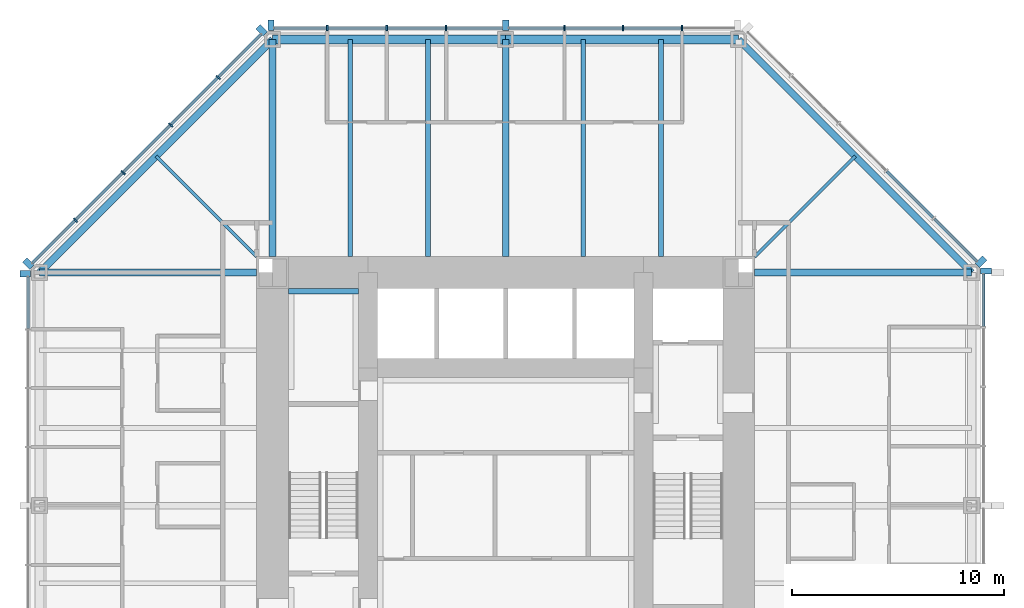
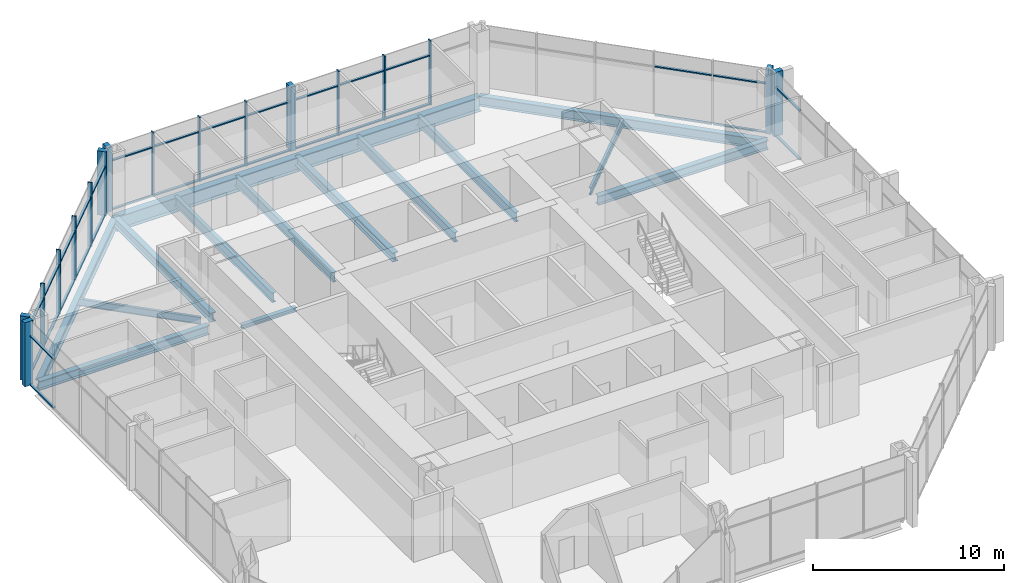
# One storey, part 5 of 12: 49 members, 15 beams, 5 elements without a shape of their own.
"""IFC4 building model written with IfcOpenShell, lengths in metres."""

from ifc_helpers import new_model, si_unit, direction, frame, origin, origin_2d, place, context, subcontext, project, spatial, rectangle, i_section, extrude, material, material_profile, profile_set, type_object, element, aggregate, save


model = new_model("IFC4")

# Units and contexts
model_context = context("Model", 3, precision=1e-05, world=origin(), true_north=direction((0.0, 1.0)))
body_context = subcontext(model_context, "Body", "Model", "MODEL_VIEW")
ifc_project = project(units=[si_unit("LENGTHUNIT", "METRE"), si_unit("AREAUNIT", "SQUARE_METRE"), si_unit("VOLUMEUNIT", "CUBIC_METRE"), si_unit("PLANEANGLEUNIT", "RADIAN"), si_unit("MASSUNIT", "GRAM", prefix="KILO")], contexts=[model_context])

# Site, building, storey
site_placement = place(None, origin())
site = spatial("IfcSite", under=ifc_project, at=site_placement, CompositionType="ELEMENT")
building_placement = place(site_placement, origin())
building = spatial("IfcBuilding", under=site, at=building_placement, Name="Trevanion Tower", CompositionType="ELEMENT")
storey_placement = place(building_placement, frame((0.0, 0.0, 117.199951171875)))
storey = spatial("IfcBuildingStorey", under=building, at=storey_placement, Name="L27", CompositionType="ELEMENT", Elevation=117.199951171875)

# Beams
ifc_material_1 = material(Name="Steel ASTM A992 Grade 50", Category="steel")
ifc_material_profile_1 = material_profile(ifc_material_1, i_section(OverallWidth=0.22900390625, OverallDepth=0.612060546875, WebThickness=0.011962890625, FlangeThickness=0.01953125, at=origin_2d()), Name="W24X84")
ifc_profile_set_1 = profile_set([ifc_material_profile_1], Name="Steel ASTM A992 Grade 50")
beam_type_1 = type_object("IfcBeamType", Name="B7 W24X84", PredefinedType="BEAM", material=ifc_profile_set_1)
for number, where, z_axis, x_axis, name in (
    (1, (7.333251953125, 11.75, -0.49609375), (0.0, 1.0, 0.0), (-1.0, 0.0, 0.0), "B7 L27"),
    (2, (3.666748046875, 11.75, -0.49609375), (0.0, 1.0, 0.0), (-1.0, 0.0, 0.0), "B7 L27"),
    (3, (-3.666748046875, 11.75, -0.49609375), (0.0, 1.0, 0.0), (-1.0, 0.0, 0.0), "B7 L27"),
    (4, (-7.333251953125, 11.75, -0.49609375), (0.0, 1.0, 0.0), (-1.0, 0.0, 0.0), "B7 L27"),
):
    element("IfcBeam", number, at=place(storey_placement, frame(where, z_axis=z_axis, x_axis=x_axis)), inside=storey, type_object=beam_type_1, Name=name, PredefinedType="BEAM", context=body_context, shape_type="SweptSolid", body=[
        extrude(i_section(OverallWidth=0.22900390625, OverallDepth=0.612060546875, WebThickness=0.011962890625, FlangeThickness=0.01953125, at=origin_2d()), origin(), (0.0, 0.0, 1.0), 10.25),
    ])
ifc_material_2 = material(Name="Steel ASTM A992 Grade 50", Category="steel")
ifc_material_profile_2 = material_profile(ifc_material_2, i_section(OverallWidth=0.15234375, OverallDepth=0.449462890625, WebThickness=0.007568359375, FlangeThickness=0.0107421875, at=origin_2d()), Name="W18X35")
ifc_profile_set_2 = profile_set([ifc_material_profile_2], Name="Steel ASTM A992 Grade 50")
beam_type_2 = type_object("IfcBeamType", Name="B8 W18X35", PredefinedType="BEAM", material=ifc_profile_set_2)
for number, where, z_axis, x_axis, name in (
    (5, (11.75, 11.75, -0.414794921875), (0.707106781187, 0.707106781187, 0.0), (-0.707106781187, 0.707106781187, 0.0), "B8 L27"),
    (6, (-11.75, 11.75, -0.414794921875), (-0.707106781187, 0.707106781187, 0.0), (-0.707106781187, -0.707106781187, 0.0), "B8 L27"),
):
    element("IfcBeam", number, at=place(storey_placement, frame(where, z_axis=z_axis, x_axis=x_axis)), inside=storey, type_object=beam_type_2, Name=name, PredefinedType="BEAM", context=body_context, shape_type="SweptSolid", body=[
        extrude(i_section(OverallWidth=0.15234375, OverallDepth=0.449462890625, WebThickness=0.007568359375, FlangeThickness=0.0107421875, at=origin_2d()), origin(), (0.0, 0.0, 1.0), 6.717529296875),
    ])

# Curtain wall, members
ifc_material_3 = material(Name="Aluminium and glass", Category="aluminium")
curtain_wall_type = type_object("IfcCurtainWallType", Name="CW2 curtain wall", PredefinedType="USERDEFINED", material=ifc_material_3)
curtain_wall_1_placement = place(storey_placement, origin())
curtain_wall_1 = element("IfcCurtainWall", 7, at=curtain_wall_1_placement, inside=storey, type_object=curtain_wall_type, Name="CW2 L27 2", ObjectType="UNITISED CURTAIN WALL", PredefinedType="USERDEFINED")
ifc_material_4 = material(Name="Aluminium extrusion, anodised bronze", Category="aluminium")
ifc_material_profile_3 = material_profile(ifc_material_4, rectangle(XDim=0.074951171875, YDim=0.25, at=origin_2d()), Name="CW2 mullion")
ifc_profile_set_3 = profile_set([ifc_material_profile_3], Name="Aluminium extrusion, anodised bronze")
member_type_1 = type_object("IfcMemberType", Name="CW2 mullion", PredefinedType="MULLION", material=ifc_profile_set_3)
member_1_placement = place(storey_placement, frame((8.323486328125, 22.550048828125, -0.18994140625), z_axis=(0.0, 0.0, 1.0), x_axis=(-1.0, 0.0, 0.0)))
member_1 = element("IfcMember", 8, at=member_1_placement, type_object=member_type_1, Name="CW2 mullion 2", PredefinedType="MULLION", context=body_context, shape_type="SweptSolid", body=[
    extrude(rectangle(XDim=0.074951171875, YDim=0.25, at=origin_2d()), origin(), (0.0, 0.0, 1.0), 4.10009765625),
])
member_2_placement = place(storey_placement, frame((5.548828125, 22.550048828125, -0.18994140625), z_axis=(0.0, 0.0, 1.0), x_axis=(-1.0, 0.0, 0.0)))
member_2 = element("IfcMember", 9, at=member_2_placement, type_object=member_type_1, Name="CW2 mullion 3", PredefinedType="MULLION", context=body_context, shape_type="SweptSolid", body=[
    extrude(rectangle(XDim=0.074951171875, YDim=0.25, at=origin_2d()), origin(), (0.0, 0.0, 1.0), 4.10009765625),
])
member_3_placement = place(storey_placement, frame((2.7744140625, 22.550048828125, -0.18994140625), z_axis=(0.0, 0.0, 1.0), x_axis=(-1.0, 0.0, 0.0)))
member_3 = element("IfcMember", 10, at=member_3_placement, type_object=member_type_1, Name="CW2 mullion 4", PredefinedType="MULLION", context=body_context, shape_type="SweptSolid", body=[
    extrude(rectangle(XDim=0.074951171875, YDim=0.25, at=origin_2d()), origin(), (0.0, 0.0, 1.0), 4.10009765625),
])
member_4_placement = place(storey_placement, frame((-2.806884765625, 22.550048828125, -0.18994140625), z_axis=(0.0, 0.0, 1.0), x_axis=(-1.0, 0.0, 0.0)))
member_4 = element("IfcMember", 11, at=member_4_placement, type_object=member_type_1, Name="CW2 mullion 6", PredefinedType="MULLION", context=body_context, shape_type="SweptSolid", body=[
    extrude(rectangle(XDim=0.074951171875, YDim=0.25, at=origin_2d()), origin(), (0.0, 0.0, 1.0), 4.10009765625),
])
member_5_placement = place(storey_placement, frame((-5.614013671875, 22.550048828125, -0.18994140625), z_axis=(0.0, 0.0, 1.0), x_axis=(-1.0, 0.0, 0.0)))
member_5 = element("IfcMember", 12, at=member_5_placement, type_object=member_type_1, Name="CW2 mullion 7", PredefinedType="MULLION", context=body_context, shape_type="SweptSolid", body=[
    extrude(rectangle(XDim=0.074951171875, YDim=0.25, at=origin_2d()), origin(), (0.0, 0.0, 1.0), 4.10009765625),
])
member_6_placement = place(storey_placement, frame((-8.4208984375, 22.550048828125, -0.18994140625), z_axis=(0.0, 0.0, 1.0), x_axis=(-1.0, 0.0, 0.0)))
member_6 = element("IfcMember", 13, at=member_6_placement, type_object=member_type_1, Name="CW2 mullion 8", PredefinedType="MULLION", context=body_context, shape_type="SweptSolid", body=[
    extrude(rectangle(XDim=0.074951171875, YDim=0.25, at=origin_2d()), origin(), (0.0, 0.0, 1.0), 4.10009765625),
])

curtain_wall_2_placement = place(storey_placement, origin())
curtain_wall_2 = element("IfcCurtainWall", 14, at=curtain_wall_2_placement, inside=storey, type_object=curtain_wall_type, Name="CW2 L27 3", ObjectType="UNITISED CURTAIN WALL", PredefinedType="USERDEFINED")
member_7_placement = place(storey_placement, frame((-13.56591796875, 20.2119140625, -0.18994140625), z_axis=(0.0, 0.0, 1.0), x_axis=(-0.707106781187, -0.707106781187, 0.0)))
member_7 = element("IfcMember", 15, at=member_7_placement, type_object=member_type_1, Name="CW2 mullion 2", PredefinedType="MULLION", context=body_context, shape_type="SweptSolid", body=[
    extrude(rectangle(XDim=0.074951171875, YDim=0.25, at=origin_2d()), origin(), (0.0, 0.0, 1.0), 4.10009765625),
])
member_8_placement = place(storey_placement, frame((-15.811767578125, 17.966064453125, -0.18994140625), z_axis=(0.0, 0.0, 1.0), x_axis=(-0.707106781187, -0.707106781187, 0.0)))
member_8 = element("IfcMember", 16, at=member_8_placement, type_object=member_type_1, Name="CW2 mullion 3", PredefinedType="MULLION", context=body_context, shape_type="SweptSolid", body=[
    extrude(rectangle(XDim=0.074951171875, YDim=0.25, at=origin_2d()), origin(), (0.0, 0.0, 1.0), 4.10009765625),
])
member_9_placement = place(storey_placement, frame((-18.057861328125, 15.719970703125, -0.18994140625), z_axis=(0.0, 0.0, 1.0), x_axis=(-0.707106781187, -0.707106781187, 0.0)))
member_9 = element("IfcMember", 17, at=member_9_placement, type_object=member_type_1, Name="CW2 mullion 4", PredefinedType="MULLION", context=body_context, shape_type="SweptSolid", body=[
    extrude(rectangle(XDim=0.074951171875, YDim=0.25, at=origin_2d()), origin(), (0.0, 0.0, 1.0), 4.10009765625),
])
member_10_placement = place(storey_placement, frame((-20.303955078125, 13.473876953125, -0.18994140625), z_axis=(0.0, 0.0, 1.0), x_axis=(-0.707106781187, -0.707106781187, 0.0)))
member_10 = element("IfcMember", 18, at=member_10_placement, type_object=member_type_1, Name="CW2 mullion 5", PredefinedType="MULLION", context=body_context, shape_type="SweptSolid", body=[
    extrude(rectangle(XDim=0.074951171875, YDim=0.25, at=origin_2d()), origin(), (0.0, 0.0, 1.0), 4.10009765625),
])

# Curtain wall, member
curtain_wall_3_placement = place(storey_placement, origin())
curtain_wall_3 = element("IfcCurtainWall", 19, at=curtain_wall_3_placement, inside=storey, type_object=curtain_wall_type, Name="CW2 L27 0", ObjectType="UNITISED CURTAIN WALL", PredefinedType="USERDEFINED")
ifc_material_5 = material(Name="Aluminium extrusion, anodised bronze", Category="aluminium")
ifc_material_profile_4 = material_profile(ifc_material_5, rectangle(XDim=0.300048828125, YDim=0.5, at=origin_2d()), Name="CW2 pier mullion")
ifc_profile_set_4 = profile_set([ifc_material_profile_4], Name="Aluminium extrusion, anodised bronze")
member_type_2 = type_object("IfcMemberType", Name="CW2 pier mullion", PredefinedType="MULLION", material=ifc_profile_set_4)
member_11_placement = place(storey_placement, frame((22.675048828125, 11.077880859375, -0.18994140625), z_axis=(0.0, 0.0, 1.0), x_axis=(0.0, 1.0, 0.0)))
member_11 = element("IfcMember", 20, at=member_11_placement, type_object=member_type_2, Name="CW2 pier mullion 9", PredefinedType="MULLION", context=body_context, shape_type="SweptSolid", body=[
    extrude(rectangle(XDim=0.300048828125, YDim=0.5, at=origin_2d()), origin(), (0.0, 0.0, 1.0), 4.10009765625),
])

curtain_wall_4_placement = place(storey_placement, origin())
curtain_wall_4 = element("IfcCurtainWall", 21, at=curtain_wall_4_placement, inside=storey, type_object=curtain_wall_type, Name="CW2 L27 1", ObjectType="UNITISED CURTAIN WALL", PredefinedType="USERDEFINED")
member_12_placement = place(storey_placement, frame((22.4404296875, 11.51416015625, -0.18994140625), z_axis=(0.0, 0.0, 1.0), x_axis=(-0.707106781187, 0.707106781187, 0.0)))
member_12 = element("IfcMember", 22, at=member_12_placement, type_object=member_type_2, Name="CW2 pier mullion 1", PredefinedType="MULLION", context=body_context, shape_type="SweptSolid", body=[
    extrude(rectangle(XDim=0.300048828125, YDim=0.5, at=origin_2d()), origin(), (0.0, 0.0, 1.0), 4.10009765625),
])

# Member
member_13_placement = place(storey_placement, frame((0.0, 22.675048828125, -0.18994140625), z_axis=(0.0, 0.0, 1.0), x_axis=(-1.0, 0.0, 0.0)))
member_13 = element("IfcMember", 23, at=member_13_placement, type_object=member_type_2, Name="CW2 pier mullion 5", PredefinedType="MULLION", context=body_context, shape_type="SweptSolid", body=[
    extrude(rectangle(XDim=0.300048828125, YDim=0.5, at=origin_2d()), origin(), (0.0, 0.0, 1.0), 4.10009765625),
])

member_14_placement = place(storey_placement, frame((-11.077880859375, 22.675048828125, -0.18994140625), z_axis=(0.0, 0.0, 1.0), x_axis=(-1.0, 0.0, 0.0)))
member_14 = element("IfcMember", 24, at=member_14_placement, type_object=member_type_2, Name="CW2 pier mullion 9", PredefinedType="MULLION", context=body_context, shape_type="SweptSolid", body=[
    extrude(rectangle(XDim=0.300048828125, YDim=0.5, at=origin_2d()), origin(), (0.0, 0.0, 1.0), 4.10009765625),
])

member_15_placement = place(storey_placement, frame((-11.51416015625, 22.4404296875, -0.18994140625), z_axis=(0.0, 0.0, 1.0), x_axis=(-0.707106781187, -0.707106781187, 0.0)))
member_15 = element("IfcMember", 25, at=member_15_placement, type_object=member_type_2, Name="CW2 pier mullion 1", PredefinedType="MULLION", context=body_context, shape_type="SweptSolid", body=[
    extrude(rectangle(XDim=0.300048828125, YDim=0.5, at=origin_2d()), origin(), (0.0, 0.0, 1.0), 4.10009765625),
])

member_16_placement = place(storey_placement, frame((-22.5322265625, 11.42236328125, -0.18994140625), z_axis=(0.0, 0.0, 1.0), x_axis=(-0.707106781187, -0.707106781187, 0.0)))
member_16 = element("IfcMember", 26, at=member_16_placement, type_object=member_type_2, Name="CW2 pier mullion 6", PredefinedType="MULLION", context=body_context, shape_type="SweptSolid", body=[
    extrude(rectangle(XDim=0.300048828125, YDim=0.5, at=origin_2d()), origin(), (0.0, 0.0, 1.0), 4.10009765625),
])

# Curtain wall, member
curtain_wall_5_placement = place(storey_placement, origin())
curtain_wall_5 = element("IfcCurtainWall", 27, at=curtain_wall_5_placement, inside=storey, type_object=curtain_wall_type, Name="CW2 L27 4", ObjectType="UNITISED CURTAIN WALL", PredefinedType="USERDEFINED")
member_17_placement = place(storey_placement, frame((-22.675048828125, 10.94775390625, -0.18994140625), z_axis=(0.0, 0.0, 1.0), x_axis=(0.0, -1.0, 0.0)))
member_17 = element("IfcMember", 28, at=member_17_placement, type_object=member_type_2, Name="CW2 pier mullion 1", PredefinedType="MULLION", context=body_context, shape_type="SweptSolid", body=[
    extrude(rectangle(XDim=0.300048828125, YDim=0.5, at=origin_2d()), origin(), (0.0, 0.0, 1.0), 4.10009765625),
])

# Member
ifc_material_6 = material(Name="Aluminium extrusion, anodised bronze", Category="aluminium")
ifc_material_profile_5 = material_profile(ifc_material_6, rectangle(XDim=0.14990234375, YDim=0.074951171875, at=origin_2d()), Name="CW2 transom")
ifc_profile_set_5 = profile_set([ifc_material_profile_5], Name="Aluminium extrusion, anodised bronze")
member_type_3 = type_object("IfcMemberType", Name="CW2 transom", PredefinedType="USERDEFINED", material=ifc_profile_set_5)
member_18_placement = place(storey_placement, frame((22.550048828125, 8.45849609375, -0.15234375), z_axis=(0.0, 1.0, 0.0), x_axis=(-1.0, 0.0, 0.0)))
member_18 = element("IfcMember", 29, at=member_18_placement, type_object=member_type_3, Name="CW2 transom 8.1", ObjectType="TRANSOM", PredefinedType="USERDEFINED", context=body_context, shape_type="SweptSolid", body=[
    extrude(rectangle(XDim=0.14990234375, YDim=0.074951171875, at=origin_2d()), origin(), (0.0, 0.0, 1.0), 2.46923828125),
])

member_19_placement = place(storey_placement, frame((22.550048828125, 8.45849609375, 2.9599609375), z_axis=(0.0, 1.0, 0.0), x_axis=(-1.0, 0.0, 0.0)))
member_19 = element("IfcMember", 30, at=member_19_placement, type_object=member_type_3, Name="CW2 transom 8.2", ObjectType="TRANSOM", PredefinedType="USERDEFINED", context=body_context, shape_type="SweptSolid", body=[
    extrude(rectangle(XDim=0.14990234375, YDim=0.074951171875, at=origin_2d()), origin(), (0.0, 0.0, 1.0), 2.46923828125),
])

aggregate(curtain_wall_3, [member_11, member_18, member_19])

member_20_placement = place(storey_placement, frame((22.245849609375, 11.531982421875, -0.15234375), z_axis=(-0.707106781187, 0.707106781187, 0.0), x_axis=(-0.707106781187, -0.707106781187, 0.0)))
member_20 = element("IfcMember", 31, at=member_20_placement, type_object=member_type_3, Name="CW2 transom 1.1", ObjectType="TRANSOM", PredefinedType="USERDEFINED", context=body_context, shape_type="SweptSolid", body=[
    extrude(rectangle(XDim=0.14990234375, YDim=0.074951171875, at=origin_2d()), origin(), (0.0, 0.0, 1.0), 2.8388671875),
])

member_21_placement = place(storey_placement, frame((22.245849609375, 11.531982421875, 2.9599609375), z_axis=(-0.707106781187, 0.707106781187, 0.0), x_axis=(-0.707106781187, -0.707106781187, 0.0)))
member_21 = element("IfcMember", 32, at=member_21_placement, type_object=member_type_3, Name="CW2 transom 1.2", ObjectType="TRANSOM", PredefinedType="USERDEFINED", context=body_context, shape_type="SweptSolid", body=[
    extrude(rectangle(XDim=0.14990234375, YDim=0.074951171875, at=origin_2d()), origin(), (0.0, 0.0, 1.0), 2.8388671875),
])

member_22_placement = place(storey_placement, frame((20.185546875, 13.59228515625, -0.15234375), z_axis=(-0.707106781187, 0.707106781187, 0.0), x_axis=(-0.707106781187, -0.707106781187, 0.0)))
member_22 = element("IfcMember", 33, at=member_22_placement, type_object=member_type_3, Name="CW2 transom 2.1", ObjectType="TRANSOM", PredefinedType="USERDEFINED", context=body_context, shape_type="SweptSolid", body=[
    extrude(rectangle(XDim=0.14990234375, YDim=0.074951171875, at=origin_2d()), origin(), (0.0, 0.0, 1.0), 3.1015625),
])

member_23_placement = place(storey_placement, frame((20.185546875, 13.59228515625, 2.9599609375), z_axis=(-0.707106781187, 0.707106781187, 0.0), x_axis=(-0.707106781187, -0.707106781187, 0.0)))
member_23 = element("IfcMember", 34, at=member_23_placement, type_object=member_type_3, Name="CW2 transom 2.2", ObjectType="TRANSOM", PredefinedType="USERDEFINED", context=body_context, shape_type="SweptSolid", body=[
    extrude(rectangle(XDim=0.14990234375, YDim=0.074951171875, at=origin_2d()), origin(), (0.0, 0.0, 1.0), 3.1015625),
])

aggregate(curtain_wall_4, [member_12, member_20, member_21, member_22, member_23])

member_24_placement = place(storey_placement, frame((8.285888671875, 22.550048828125, -0.15234375), z_axis=(-1.0, 0.0, 0.0), x_axis=(0.0, -1.0, 0.0)))
member_24 = element("IfcMember", 35, at=member_24_placement, type_object=member_type_3, Name="CW2 transom 2.1", ObjectType="TRANSOM", PredefinedType="USERDEFINED", context=body_context, shape_type="SweptSolid", body=[
    extrude(rectangle(XDim=0.14990234375, YDim=0.074951171875, at=origin_2d()), origin(), (0.0, 0.0, 1.0), 2.699462890625),
])

member_25_placement = place(storey_placement, frame((8.285888671875, 22.550048828125, 2.9599609375), z_axis=(-1.0, 0.0, 0.0), x_axis=(0.0, -1.0, 0.0)))
member_25 = element("IfcMember", 36, at=member_25_placement, type_object=member_type_3, Name="CW2 transom 2.2", ObjectType="TRANSOM", PredefinedType="USERDEFINED", context=body_context, shape_type="SweptSolid", body=[
    extrude(rectangle(XDim=0.14990234375, YDim=0.074951171875, at=origin_2d()), origin(), (0.0, 0.0, 1.0), 2.699462890625),
])

member_26_placement = place(storey_placement, frame((5.511474609375, 22.550048828125, -0.15234375), z_axis=(-1.0, 0.0, 0.0), x_axis=(0.0, -1.0, 0.0)))
member_26 = element("IfcMember", 37, at=member_26_placement, type_object=member_type_3, Name="CW2 transom 3.1", ObjectType="TRANSOM", PredefinedType="USERDEFINED", context=body_context, shape_type="SweptSolid", body=[
    extrude(rectangle(XDim=0.14990234375, YDim=0.074951171875, at=origin_2d()), origin(), (0.0, 0.0, 1.0), 2.699462890625),
])

member_27_placement = place(storey_placement, frame((5.511474609375, 22.550048828125, 2.9599609375), z_axis=(-1.0, 0.0, 0.0), x_axis=(0.0, -1.0, 0.0)))
member_27 = element("IfcMember", 38, at=member_27_placement, type_object=member_type_3, Name="CW2 transom 3.2", ObjectType="TRANSOM", PredefinedType="USERDEFINED", context=body_context, shape_type="SweptSolid", body=[
    extrude(rectangle(XDim=0.14990234375, YDim=0.074951171875, at=origin_2d()), origin(), (0.0, 0.0, 1.0), 2.699462890625),
])

member_28_placement = place(storey_placement, frame((2.737060546875, 22.550048828125, -0.15234375), z_axis=(-1.0, 0.0, 0.0), x_axis=(0.0, -1.0, 0.0)))
member_28 = element("IfcMember", 39, at=member_28_placement, type_object=member_type_3, Name="CW2 transom 4.1", ObjectType="TRANSOM", PredefinedType="USERDEFINED", context=body_context, shape_type="SweptSolid", body=[
    extrude(rectangle(XDim=0.14990234375, YDim=0.074951171875, at=origin_2d()), origin(), (0.0, 0.0, 1.0), 2.587158203125),
])

member_29_placement = place(storey_placement, frame((2.737060546875, 22.550048828125, 2.9599609375), z_axis=(-1.0, 0.0, 0.0), x_axis=(0.0, -1.0, 0.0)))
member_29 = element("IfcMember", 40, at=member_29_placement, type_object=member_type_3, Name="CW2 transom 4.2", ObjectType="TRANSOM", PredefinedType="USERDEFINED", context=body_context, shape_type="SweptSolid", body=[
    extrude(rectangle(XDim=0.14990234375, YDim=0.074951171875, at=origin_2d()), origin(), (0.0, 0.0, 1.0), 2.587158203125),
])

member_30_placement = place(storey_placement, frame((-0.14990234375, 22.550048828125, -0.15234375), z_axis=(-1.0, 0.0, 0.0), x_axis=(0.0, -1.0, 0.0)))
member_30 = element("IfcMember", 41, at=member_30_placement, type_object=member_type_3, Name="CW2 transom 5.1", ObjectType="TRANSOM", PredefinedType="USERDEFINED", context=body_context, shape_type="SweptSolid", body=[
    extrude(rectangle(XDim=0.14990234375, YDim=0.074951171875, at=origin_2d()), origin(), (0.0, 0.0, 1.0), 2.619384765625),
])

member_31_placement = place(storey_placement, frame((-0.14990234375, 22.550048828125, 2.9599609375), z_axis=(-1.0, 0.0, 0.0), x_axis=(0.0, -1.0, 0.0)))
member_31 = element("IfcMember", 42, at=member_31_placement, type_object=member_type_3, Name="CW2 transom 5.2", ObjectType="TRANSOM", PredefinedType="USERDEFINED", context=body_context, shape_type="SweptSolid", body=[
    extrude(rectangle(XDim=0.14990234375, YDim=0.074951171875, at=origin_2d()), origin(), (0.0, 0.0, 1.0), 2.619384765625),
])

member_32_placement = place(storey_placement, frame((-2.844482421875, 22.550048828125, -0.15234375), z_axis=(-1.0, 0.0, 0.0), x_axis=(0.0, -1.0, 0.0)))
member_32 = element("IfcMember", 43, at=member_32_placement, type_object=member_type_3, Name="CW2 transom 6.1", ObjectType="TRANSOM", PredefinedType="USERDEFINED", context=body_context, shape_type="SweptSolid", body=[
    extrude(rectangle(XDim=0.14990234375, YDim=0.074951171875, at=origin_2d()), origin(), (0.0, 0.0, 1.0), 2.73193359375),
])

member_33_placement = place(storey_placement, frame((-2.844482421875, 22.550048828125, 2.9599609375), z_axis=(-1.0, 0.0, 0.0), x_axis=(0.0, -1.0, 0.0)))
member_33 = element("IfcMember", 44, at=member_33_placement, type_object=member_type_3, Name="CW2 transom 6.2", ObjectType="TRANSOM", PredefinedType="USERDEFINED", context=body_context, shape_type="SweptSolid", body=[
    extrude(rectangle(XDim=0.14990234375, YDim=0.074951171875, at=origin_2d()), origin(), (0.0, 0.0, 1.0), 2.73193359375),
])

member_34_placement = place(storey_placement, frame((-5.6513671875, 22.550048828125, -0.15234375), z_axis=(-1.0, 0.0, 0.0), x_axis=(0.0, -1.0, 0.0)))
member_34 = element("IfcMember", 45, at=member_34_placement, type_object=member_type_3, Name="CW2 transom 7.1", ObjectType="TRANSOM", PredefinedType="USERDEFINED", context=body_context, shape_type="SweptSolid", body=[
    extrude(rectangle(XDim=0.14990234375, YDim=0.074951171875, at=origin_2d()), origin(), (0.0, 0.0, 1.0), 2.73193359375),
])

member_35_placement = place(storey_placement, frame((-5.6513671875, 22.550048828125, 2.9599609375), z_axis=(-1.0, 0.0, 0.0), x_axis=(0.0, -1.0, 0.0)))
member_35 = element("IfcMember", 46, at=member_35_placement, type_object=member_type_3, Name="CW2 transom 7.2", ObjectType="TRANSOM", PredefinedType="USERDEFINED", context=body_context, shape_type="SweptSolid", body=[
    extrude(rectangle(XDim=0.14990234375, YDim=0.074951171875, at=origin_2d()), origin(), (0.0, 0.0, 1.0), 2.73193359375),
])

member_36_placement = place(storey_placement, frame((-8.45849609375, 22.550048828125, -0.15234375), z_axis=(-1.0, 0.0, 0.0), x_axis=(0.0, -1.0, 0.0)))
member_36 = element("IfcMember", 47, at=member_36_placement, type_object=member_type_3, Name="CW2 transom 8.1", ObjectType="TRANSOM", PredefinedType="USERDEFINED", context=body_context, shape_type="SweptSolid", body=[
    extrude(rectangle(XDim=0.14990234375, YDim=0.074951171875, at=origin_2d()), origin(), (0.0, 0.0, 1.0), 2.46923828125),
])

member_37_placement = place(storey_placement, frame((-8.45849609375, 22.550048828125, 2.9599609375), z_axis=(-1.0, 0.0, 0.0), x_axis=(0.0, -1.0, 0.0)))
member_37 = element("IfcMember", 48, at=member_37_placement, type_object=member_type_3, Name="CW2 transom 8.2", ObjectType="TRANSOM", PredefinedType="USERDEFINED", context=body_context, shape_type="SweptSolid", body=[
    extrude(rectangle(XDim=0.14990234375, YDim=0.074951171875, at=origin_2d()), origin(), (0.0, 0.0, 1.0), 2.46923828125),
])

aggregate(curtain_wall_1, [member_1, member_2, member_3, member_13, member_4, member_5, member_6, member_14, member_24, member_25, member_26, member_27, member_28, member_29, member_30, member_31, member_32, member_33, member_34, member_35, member_36, member_37])

member_38_placement = place(storey_placement, frame((-11.531982421875, 22.245849609375, -0.15234375), z_axis=(-0.707106781187, -0.707106781187, 0.0), x_axis=(0.707106781187, -0.707106781187, 0.0)))
member_38 = element("IfcMember", 49, at=member_38_placement, type_object=member_type_3, Name="CW2 transom 1.1", ObjectType="TRANSOM", PredefinedType="USERDEFINED", context=body_context, shape_type="SweptSolid", body=[
    extrude(rectangle(XDim=0.14990234375, YDim=0.074951171875, at=origin_2d()), origin(), (0.0, 0.0, 1.0), 2.8388671875),
])

member_39_placement = place(storey_placement, frame((-11.531982421875, 22.245849609375, 2.9599609375), z_axis=(-0.707106781187, -0.707106781187, 0.0), x_axis=(0.707106781187, -0.707106781187, 0.0)))
member_39 = element("IfcMember", 50, at=member_39_placement, type_object=member_type_3, Name="CW2 transom 1.2", ObjectType="TRANSOM", PredefinedType="USERDEFINED", context=body_context, shape_type="SweptSolid", body=[
    extrude(rectangle(XDim=0.14990234375, YDim=0.074951171875, at=origin_2d()), origin(), (0.0, 0.0, 1.0), 2.8388671875),
])

member_40_placement = place(storey_placement, frame((-13.59228515625, 20.185546875, -0.15234375), z_axis=(-0.707106781187, -0.707106781187, 0.0), x_axis=(0.707106781187, -0.707106781187, 0.0)))
member_40 = element("IfcMember", 51, at=member_40_placement, type_object=member_type_3, Name="CW2 transom 2.1", ObjectType="TRANSOM", PredefinedType="USERDEFINED", context=body_context, shape_type="SweptSolid", body=[
    extrude(rectangle(XDim=0.14990234375, YDim=0.074951171875, at=origin_2d()), origin(), (0.0, 0.0, 1.0), 3.1015625),
])

member_41_placement = place(storey_placement, frame((-13.59228515625, 20.185546875, 2.9599609375), z_axis=(-0.707106781187, -0.707106781187, 0.0), x_axis=(0.707106781187, -0.707106781187, 0.0)))
member_41 = element("IfcMember", 52, at=member_41_placement, type_object=member_type_3, Name="CW2 transom 2.2", ObjectType="TRANSOM", PredefinedType="USERDEFINED", context=body_context, shape_type="SweptSolid", body=[
    extrude(rectangle(XDim=0.14990234375, YDim=0.074951171875, at=origin_2d()), origin(), (0.0, 0.0, 1.0), 3.1015625),
])

member_42_placement = place(storey_placement, frame((-15.83837890625, 17.939453125, -0.15234375), z_axis=(-0.707106781187, -0.707106781187, 0.0), x_axis=(0.707106781187, -0.707106781187, 0.0)))
member_42 = element("IfcMember", 53, at=member_42_placement, type_object=member_type_3, Name="CW2 transom 3.1", ObjectType="TRANSOM", PredefinedType="USERDEFINED", context=body_context, shape_type="SweptSolid", body=[
    extrude(rectangle(XDim=0.14990234375, YDim=0.074951171875, at=origin_2d()), origin(), (0.0, 0.0, 1.0), 3.1015625),
])

member_43_placement = place(storey_placement, frame((-15.83837890625, 17.939453125, 2.9599609375), z_axis=(-0.707106781187, -0.707106781187, 0.0), x_axis=(0.707106781187, -0.707106781187, 0.0)))
member_43 = element("IfcMember", 54, at=member_43_placement, type_object=member_type_3, Name="CW2 transom 3.2", ObjectType="TRANSOM", PredefinedType="USERDEFINED", context=body_context, shape_type="SweptSolid", body=[
    extrude(rectangle(XDim=0.14990234375, YDim=0.074951171875, at=origin_2d()), origin(), (0.0, 0.0, 1.0), 3.1015625),
])

member_44_placement = place(storey_placement, frame((-18.08447265625, 15.693359375, -0.15234375), z_axis=(-0.707106781187, -0.707106781187, 0.0), x_axis=(0.707106781187, -0.707106781187, 0.0)))
member_44 = element("IfcMember", 55, at=member_44_placement, type_object=member_type_3, Name="CW2 transom 4.1", ObjectType="TRANSOM", PredefinedType="USERDEFINED", context=body_context, shape_type="SweptSolid", body=[
    extrude(rectangle(XDim=0.14990234375, YDim=0.074951171875, at=origin_2d()), origin(), (0.0, 0.0, 1.0), 3.10107421875),
])

member_45_placement = place(storey_placement, frame((-18.08447265625, 15.693359375, 2.9599609375), z_axis=(-0.707106781187, -0.707106781187, 0.0), x_axis=(0.707106781187, -0.707106781187, 0.0)))
member_45 = element("IfcMember", 56, at=member_45_placement, type_object=member_type_3, Name="CW2 transom 4.2", ObjectType="TRANSOM", PredefinedType="USERDEFINED", context=body_context, shape_type="SweptSolid", body=[
    extrude(rectangle(XDim=0.14990234375, YDim=0.074951171875, at=origin_2d()), origin(), (0.0, 0.0, 1.0), 3.10107421875),
])

member_46_placement = place(storey_placement, frame((-20.33056640625, 13.447509765625, -0.15234375), z_axis=(-0.707063781595, -0.707149778163, 0.0), x_axis=(0.707149778163, -0.707063781595, 0.0)))
member_46 = element("IfcMember", 57, at=member_46_placement, type_object=member_type_3, Name="CW2 transom 5.1", ObjectType="TRANSOM", PredefinedType="USERDEFINED", context=body_context, shape_type="SweptSolid", body=[
    extrude(rectangle(XDim=0.14990234375, YDim=0.074951171875, at=origin_2d()), origin(), (0.0, 0.0, 1.0), 2.8388671875),
])

member_47_placement = place(storey_placement, frame((-20.33056640625, 13.447509765625, 2.9599609375), z_axis=(-0.707063781595, -0.707149778163, 0.0), x_axis=(0.707149778163, -0.707063781595, 0.0)))
member_47 = element("IfcMember", 58, at=member_47_placement, type_object=member_type_3, Name="CW2 transom 5.2", ObjectType="TRANSOM", PredefinedType="USERDEFINED", context=body_context, shape_type="SweptSolid", body=[
    extrude(rectangle(XDim=0.14990234375, YDim=0.074951171875, at=origin_2d()), origin(), (0.0, 0.0, 1.0), 2.8388671875),
])

aggregate(curtain_wall_2, [member_15, member_7, member_8, member_9, member_10, member_16, member_38, member_39, member_40, member_41, member_42, member_43, member_44, member_45, member_46, member_47])

member_48_placement = place(storey_placement, frame((-22.550048828125, 10.7978515625, -0.15234375), z_axis=(0.0, -1.0, 0.0), x_axis=(1.0, 0.0, 0.0)))
member_48 = element("IfcMember", 59, at=member_48_placement, type_object=member_type_3, Name="CW2 transom 1.1", ObjectType="TRANSOM", PredefinedType="USERDEFINED", context=body_context, shape_type="SweptSolid", body=[
    extrude(rectangle(XDim=0.14990234375, YDim=0.074951171875, at=origin_2d()), origin(), (0.0, 0.0, 1.0), 2.43701171875),
])

member_49_placement = place(storey_placement, frame((-22.550048828125, 10.7978515625, 2.9599609375), z_axis=(0.0, -1.0, 0.0), x_axis=(1.0, 0.0, 0.0)))
member_49 = element("IfcMember", 60, at=member_49_placement, type_object=member_type_3, Name="CW2 transom 1.2", ObjectType="TRANSOM", PredefinedType="USERDEFINED", context=body_context, shape_type="SweptSolid", body=[
    extrude(rectangle(XDim=0.14990234375, YDim=0.074951171875, at=origin_2d()), origin(), (0.0, 0.0, 1.0), 2.43701171875),
])

aggregate(curtain_wall_5, [member_17, member_48, member_49])

# Beams
ifc_material_7 = material(Name="Steel ASTM A992 Grade 50", Category="steel")
ifc_material_profile_6 = material_profile(ifc_material_7, i_section(OverallWidth=0.320068359375, OverallDepth=0.584228515625, WebThickness=0.023193359375, FlangeThickness=0.04150390625, at=origin_2d()), Name="W21X201")
ifc_profile_set_6 = profile_set([ifc_material_profile_6], Name="Steel ASTM A992 Grade 50")
beam_type_3 = type_object("IfcBeamType", Name="G4 W21X201", PredefinedType="BEAM", material=ifc_profile_set_6)
for number, where, z_axis, x_axis, name in (
    (61, (11.75, 11.0, -0.48193359375), (1.0, 0.0, 0.0), (0.0, 1.0, 0.0), "G4 L27"),
    (62, (0.0, 11.75, -0.48193359375), (0.0, 1.0, 0.0), (-1.0, 0.0, 0.0), "G4 L27"),
    (63, (-11.0, 11.75, -0.48193359375), (0.0, 1.0, 0.0), (-1.0, 0.0, 0.0), "G4 L27"),
    (64, (-11.75, 11.0, -0.48193359375), (-1.0, 0.0, 0.0), (0.0, -1.0, 0.0), "G4 L27"),
):
    element("IfcBeam", number, at=place(storey_placement, frame(where, z_axis=z_axis, x_axis=x_axis)), inside=storey, type_object=beam_type_3, Name=name, PredefinedType="BEAM", context=body_context, shape_type="SweptSolid", body=[
        extrude(i_section(OverallWidth=0.320068359375, OverallDepth=0.584228515625, WebThickness=0.023193359375, FlangeThickness=0.04150390625, at=origin_2d()), origin(), (0.0, 0.0, 1.0), 10.25),
    ])
ifc_material_8 = material(Name="Steel ASTM A992 Grade 50", Category="steel")
ifc_material_profile_7 = material_profile(ifc_material_8, i_section(OverallWidth=0.256591796875, OverallDepth=0.26416015625, WebThickness=0.011962890625, FlangeThickness=0.01953125, at=origin_2d()), Name="W10X68")
ifc_profile_set_7 = profile_set([ifc_material_profile_7], Name="Steel ASTM A992 Grade 50")
beam_type_4 = type_object("IfcBeamType", Name="LB1 W10X68", PredefinedType="BEAM", material=ifc_profile_set_7)
beam_placement = place(storey_placement, frame((-10.25, 10.12158203125, -0.33203125), z_axis=(1.0, 0.0, 0.0), x_axis=(0.0, 1.0, 0.0)))
element("IfcBeam", 65, at=beam_placement, inside=storey, type_object=beam_type_4, Name="LB1 L27", PredefinedType="BEAM", context=body_context, shape_type="SweptSolid", body=[
    extrude(i_section(OverallWidth=0.256591796875, OverallDepth=0.26416015625, WebThickness=0.011962890625, FlangeThickness=0.01953125, at=origin_2d()), origin(), (0.0, 0.0, 1.0), 3.300048828125),
])
ifc_material_9 = material(Name="Steel ASTM A992 Grade 50", Category="steel")
ifc_material_profile_8 = material_profile(ifc_material_9, i_section(OverallWidth=0.419189453125, OverallDepth=0.927001953125, WebThickness=0.019287109375, FlangeThickness=0.031982421875, at=origin_2d()), Name="W36X231")
ifc_profile_set_8 = profile_set([ifc_material_profile_8], Name="Steel ASTM A992 Grade 50")
beam_type_5 = type_object("IfcBeamType", Name="SB4 W36X231", PredefinedType="SPANDREL", material=ifc_profile_set_8)
for number, where, z_axis, x_axis, name in (
    (66, (11.0, 22.0, -0.653564453125), (-1.0, 0.0, 0.0), (0.0, -1.0, 0.0), "SB4 L27"),
    (67, (0.0, 22.0, -0.653564453125), (-1.0, 0.0, 0.0), (0.0, -1.0, 0.0), "SB4 L27"),
):
    element("IfcBeam", number, at=place(storey_placement, frame(where, z_axis=z_axis, x_axis=x_axis)), inside=storey, type_object=beam_type_5, Name=name, PredefinedType="SPANDREL", context=body_context, shape_type="SweptSolid", body=[
        extrude(i_section(OverallWidth=0.419189453125, OverallDepth=0.927001953125, WebThickness=0.019287109375, FlangeThickness=0.031982421875, at=origin_2d()), origin(), (0.0, 0.0, 1.0), 11.0),
    ])
ifc_material_10 = material(Name="Steel ASTM A992 Grade 50", Category="steel")
ifc_material_profile_9 = material_profile(ifc_material_10, i_section(OverallWidth=0.32763671875, OverallDepth=0.62744140625, WebThickness=0.0166015625, FlangeThickness=0.027587890625, at=origin_2d()), Name="W24X146")
ifc_profile_set_9 = profile_set([ifc_material_profile_9], Name="Steel ASTM A992 Grade 50")
beam_type_6 = type_object("IfcBeamType", Name="SB5 W24X146", PredefinedType="SPANDREL", material=ifc_profile_set_9)
for number, where, z_axis, x_axis, name in (
    (68, (22.0, 11.0, -0.503662109375), (-0.707106781187, 0.707106781187, 0.0), (-0.707106781187, -0.707106781187, 0.0), "SB5 L27"),
    (69, (-11.0, 22.0, -0.503662109375), (-0.707106781187, -0.707106781187, 0.0), (0.707106781187, -0.707106781187, 0.0), "SB5 L27"),
):
    element("IfcBeam", number, at=place(storey_placement, frame(where, z_axis=z_axis, x_axis=x_axis)), inside=storey, type_object=beam_type_6, Name=name, PredefinedType="SPANDREL", context=body_context, shape_type="SweptSolid", body=[
        extrude(i_section(OverallWidth=0.32763671875, OverallDepth=0.62744140625, WebThickness=0.0166015625, FlangeThickness=0.027587890625, at=origin_2d()), origin(), (0.0, 0.0, 1.0), 15.556396484375),
    ])

save(model, "model.ifc")
